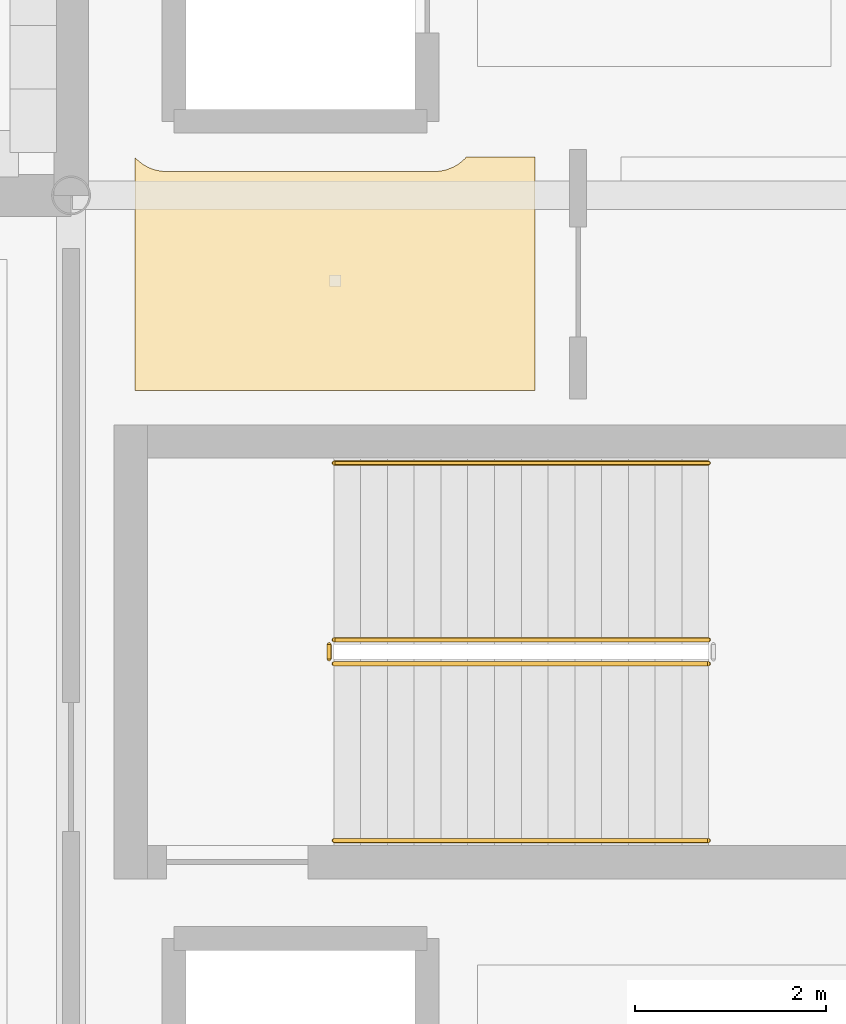
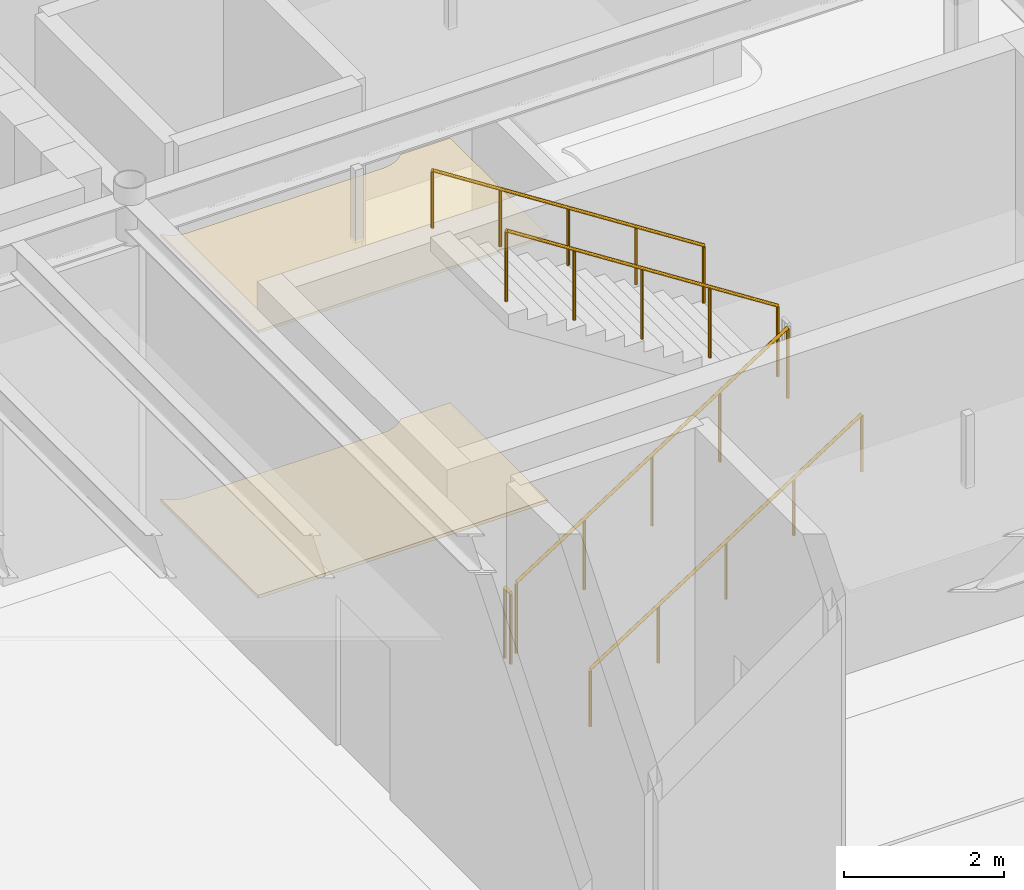
# One storey, part 88 of 103: 5 railings, 2 coverings.
"""IFC4 building model written with IfcOpenShell, lengths in metres."""

from ifc_helpers import new_model, si_unit, direction, frame, origin, origin_2d, place, context, subcontext, project, spatial, polyline, circle, outline, extrude, material, layer, layer_set, type_object, element, save


model = new_model("IFC4")

# Units and contexts
model_context = context("Model", 3, precision=1e-05, world=origin(), true_north=direction((0.0, 1.0)))
body_context = subcontext(model_context, "Body", "Model", "MODEL_VIEW")
ifc_project = project(units=[si_unit("LENGTHUNIT", "METRE"), si_unit("AREAUNIT", "SQUARE_METRE"), si_unit("VOLUMEUNIT", "CUBIC_METRE"), si_unit("PLANEANGLEUNIT", "RADIAN"), si_unit("MASSUNIT", "GRAM", prefix="KILO")], contexts=[model_context])

# Site, building, storey
site_placement = place(None, origin())
site = spatial("IfcSite", under=ifc_project, at=site_placement, CompositionType="ELEMENT")
building_placement = place(site_placement, origin())
building = spatial("IfcBuilding", under=site, at=building_placement, Name="Zlatogorsky Bluff Art Gallery", CompositionType="ELEMENT")
storey_placement = place(building_placement, origin())
storey = spatial("IfcBuildingStorey", under=building, at=storey_placement, Name="L00", CompositionType="ELEMENT", Elevation=0.0)

# Covering
ifc_material_1 = material(Name="Perforated Gypsum Acoustic Board", Category="gypsum")
ifc_layer_1 = layer(ifc_material_1, 0.0400390625)
ifc_layer_set_1 = layer_set([ifc_layer_1], Name="Acoustic Gallery Ceiling CLG-01")
covering_type_1 = type_object("IfcCoveringType", Name="Acoustic Gallery Ceiling CLG-01", PredefinedType="CEILING", material=ifc_layer_set_1)
covering_1_placement = place(storey_placement, frame((0.0, 0.0, 4.050048828125)))
element("IfcCovering", 1, at=covering_1_placement, inside=storey, type_object=covering_type_1, Name="Courtyard Artists' Studios acoustic ceiling", PredefinedType="CEILING", context=body_context, shape_type="SweptSolid", body=[
    extrude(outline(polyline([(120.669921875, 96.394775390625), (120.681884765625, 96.3818359375), (120.714599609375, 96.35205078125), (120.75, 96.32568359375), (120.787841796875, 96.302978515625), (120.827880859375, 96.2841796875), (120.869384765625, 96.269287109375), (120.912109375, 96.258544921875), (120.955810546875, 96.252197265625), (121.0, 96.25), (123.800048828125, 96.25), (123.843994140625, 96.252197265625), (123.8876953125, 96.258544921875), (123.9306640625, 96.269287109375), (123.97216796875, 96.2841796875), (124.01220703125, 96.302978515625), (124.050048828125, 96.32568359375), (124.08544921875, 96.35205078125), (124.1181640625, 96.3818359375), (124.134765625, 96.39990234375), (124.85498046875, 96.39990234375), (124.85498046875, 93.9599609375), (120.669921875, 93.9599609375), (120.669921875, 96.394775390625)])), origin(), (0.0, 0.0, 1.0), 0.0400390625),
])

# Railings
ifc_material_2 = material(Name="Architectural Bronze and Laminated Glass", Category="glass")
railing_type_1 = type_object("IfcRailingType", Name="Gallery Guard Rail 1100mm", PredefinedType="GUARDRAIL", material=ifc_material_2)
railing_1_placement = place(storey_placement, frame((122.75, 91.10009765625, 0.179931640625)))
element("IfcRailing", 2, at=railing_1_placement, inside=storey, type_object=railing_type_1, Name="L00 ST-02 stair guard 1", PredefinedType="GUARDRAIL", context=body_context, shape_type="SweptSolid", body=[
    extrude(circle(Radius=0.02392578125, at=origin_2d()), frame((0.0, 0.0, 1.076171875), z_axis=(0.841171666519, 0.0, 0.540768182723), x_axis=(0.0, 1.0, 0.0)), (0.0, 0.0, 1.0), 4.66015625),
    extrude(circle(Radius=0.02099609375, at=origin_2d()), origin(), (0.0, 0.0, 1.0), 1.052001953125),
    extrude(circle(Radius=0.02099609375, at=origin_2d()), frame((0.97998046875, 0.0, 0.6298828125)), (0.0, 0.0, 1.0), 1.052001953125),
    extrude(circle(Radius=0.02099609375, at=origin_2d()), frame((1.9599609375, 0.0, 1.260009765625)), (0.0, 0.0, 1.0), 1.052001953125),
    extrude(circle(Radius=0.02099609375, at=origin_2d()), frame((2.93994140625, 0.0, 1.89013671875)), (0.0, 0.0, 1.0), 1.052001953125),
    extrude(circle(Radius=0.02099609375, at=origin_2d()), frame((3.919921875, 0.0, 2.52001953125)), (0.0, 0.0, 1.0), 1.052001953125),
])
railing_2_placement = place(storey_placement, frame((126.669921875, 91.35009765625, 2.8798828125)))
element("IfcRailing", 3, at=railing_2_placement, inside=storey, type_object=railing_type_1, Name="L00 ST-02 stair guard 3", PredefinedType="GUARDRAIL", context=body_context, shape_type="SweptSolid", body=[
    extrude(circle(Radius=0.02392578125, at=origin_2d()), frame((0.0, 0.0, 1.076171875), z_axis=(-0.841171666519, 0.0, 0.540768182723), x_axis=(0.0, -1.0, 0.0)), (0.0, 0.0, 1.0), 4.66015625),
    extrude(circle(Radius=0.02099609375, at=origin_2d()), origin(), (0.0, 0.0, 1.0), 1.052001953125),
    extrude(circle(Radius=0.02099609375, at=origin_2d()), frame((-0.97998046875, 0.0, 0.6298828125)), (0.0, 0.0, 1.0), 1.052001953125),
    extrude(circle(Radius=0.02099609375, at=origin_2d()), frame((-1.9599609375, 0.0, 1.260009765625)), (0.0, 0.0, 1.0), 1.052001953125),
    extrude(circle(Radius=0.02099609375, at=origin_2d()), frame((-2.93994140625, 0.0, 1.89013671875)), (0.0, 0.0, 1.0), 1.052001953125),
    extrude(circle(Radius=0.02099609375, at=origin_2d()), frame((-3.919921875, 0.0, 2.52001953125)), (0.0, 0.0, 1.0), 1.052001953125),
])
railing_3_placement = place(storey_placement, frame((122.699951171875, 91.14990234375, 0.0)))
element("IfcRailing", 4, at=railing_3_placement, inside=storey, type_object=railing_type_1, Name="L00 ST-02 stair guard 4", PredefinedType="GUARDRAIL", context=body_context, shape_type="SweptSolid", body=[
    extrude(circle(Radius=0.02392578125, at=origin_2d()), frame((0.0, 0.0, 1.076171875), z_axis=(0.0, 1.0, 0.0), x_axis=(-1.0, 0.0, 0.0)), (0.0, 0.0, 1.0), 0.150146484375),
    extrude(circle(Radius=0.02099609375, at=origin_2d()), origin(), (0.0, 0.0, 1.0), 1.052001953125),
    extrude(circle(Radius=0.02099609375, at=origin_2d()), frame((0.0, 0.150146484375, 0.0)), (0.0, 0.0, 1.0), 1.052001953125),
])
ifc_material_3 = material(Name="Brushed Stainless Steel", Category="steel")
railing_type_2 = type_object("IfcRailingType", Name="Stair Pitch Handrail 900mm", PredefinedType="HANDRAIL", material=ifc_material_3)
railing_4_placement = place(storey_placement, frame((122.75, 89.25, 0.179931640625)))
element("IfcRailing", 5, at=railing_4_placement, inside=storey, type_object=railing_type_2, Name="L00 ST-02 stair handrail 1", PredefinedType="HANDRAIL", context=body_context, shape_type="SweptSolid", body=[
    extrude(circle(Radius=0.02392578125, at=origin_2d()), frame((0.0, 0.0, 0.8759765625), z_axis=(0.841171666519, 0.0, 0.540768182723), x_axis=(0.0, 1.0, 0.0)), (0.0, 0.0, 1.0), 4.66015625),
    extrude(circle(Radius=0.02099609375, at=origin_2d()), origin(), (0.0, 0.0, 1.0), 0.851806640625),
    extrude(circle(Radius=0.02099609375, at=origin_2d()), frame((0.97998046875, 0.0, 0.6298828125)), (0.0, 0.0, 1.0), 0.851806640625),
    extrude(circle(Radius=0.02099609375, at=origin_2d()), frame((1.9599609375, 0.0, 1.260009765625)), (0.0, 0.0, 1.0), 0.851806640625),
    extrude(circle(Radius=0.02099609375, at=origin_2d()), frame((2.93994140625, 0.0, 1.89013671875)), (0.0, 0.0, 1.0), 0.851806640625),
    extrude(circle(Radius=0.02099609375, at=origin_2d()), frame((3.919921875, 0.0, 2.52001953125)), (0.0, 0.0, 1.0), 0.851806640625),
])
railing_5_placement = place(storey_placement, frame((126.669921875, 93.199951171875, 2.8798828125)))
element("IfcRailing", 6, at=railing_5_placement, inside=storey, type_object=railing_type_2, Name="L00 ST-02 stair handrail 2", PredefinedType="HANDRAIL", context=body_context, shape_type="SweptSolid", body=[
    extrude(circle(Radius=0.02392578125, at=origin_2d()), frame((0.0, 0.0, 0.8759765625), z_axis=(-0.841171666519, 0.0, 0.540768182723), x_axis=(0.0, -1.0, 0.0)), (0.0, 0.0, 1.0), 4.66015625),
    extrude(circle(Radius=0.02099609375, at=origin_2d()), origin(), (0.0, 0.0, 1.0), 0.851806640625),
    extrude(circle(Radius=0.02099609375, at=origin_2d()), frame((-0.97998046875, 0.0, 0.6298828125)), (0.0, 0.0, 1.0), 0.851806640625),
    extrude(circle(Radius=0.02099609375, at=origin_2d()), frame((-1.9599609375, 0.0, 1.260009765625)), (0.0, 0.0, 1.0), 0.851806640625),
    extrude(circle(Radius=0.02099609375, at=origin_2d()), frame((-2.93994140625, 0.0, 1.89013671875)), (0.0, 0.0, 1.0), 0.851806640625),
    extrude(circle(Radius=0.02099609375, at=origin_2d()), frame((-3.919921875, 0.0, 2.52001953125)), (0.0, 0.0, 1.0), 0.851806640625),
])

# Covering
ifc_material_4 = material(Name="Polished Ural Marble Terrazzo", Category="masonry")
ifc_layer_2 = layer(ifc_material_4, 0.050048828125)
ifc_layer_set_2 = layer_set([ifc_layer_2], Name="Terrazzo Gallery Flooring FLR-01")
covering_type_2 = type_object("IfcCoveringType", Name="Terrazzo Gallery Flooring FLR-01", PredefinedType="FLOORING", material=ifc_layer_set_2)
covering_2_placement = place(storey_placement, origin())
element("IfcCovering", 7, at=covering_2_placement, inside=storey, type_object=covering_type_2, Name="Courtyard Artists' Studios terrazzo floor finish", PredefinedType="FLOORING", context=body_context, shape_type="SweptSolid", body=[
    extrude(outline(polyline([(120.669921875, 96.394775390625), (120.681884765625, 96.3818359375), (120.714599609375, 96.35205078125), (120.75, 96.32568359375), (120.787841796875, 96.302978515625), (120.827880859375, 96.2841796875), (120.869384765625, 96.269287109375), (120.912109375, 96.258544921875), (120.955810546875, 96.252197265625), (121.0, 96.25), (123.800048828125, 96.25), (123.843994140625, 96.252197265625), (123.8876953125, 96.258544921875), (123.9306640625, 96.269287109375), (123.97216796875, 96.2841796875), (124.01220703125, 96.302978515625), (124.050048828125, 96.32568359375), (124.08544921875, 96.35205078125), (124.1181640625, 96.3818359375), (124.134765625, 96.39990234375), (124.85498046875, 96.39990234375), (124.85498046875, 93.9599609375), (120.669921875, 93.9599609375), (120.669921875, 96.394775390625)])), origin(), (0.0, 0.0, 1.0), 0.050048828125),
])

save(model, "model.ifc")
